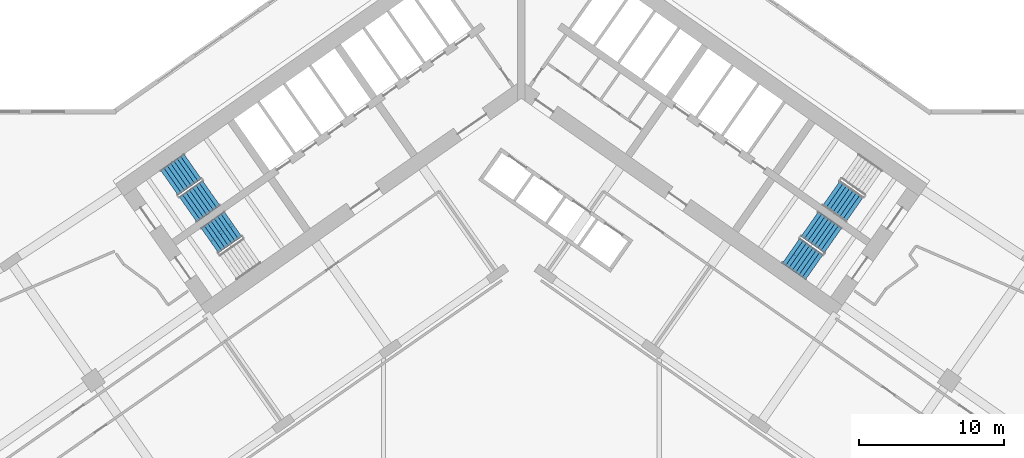
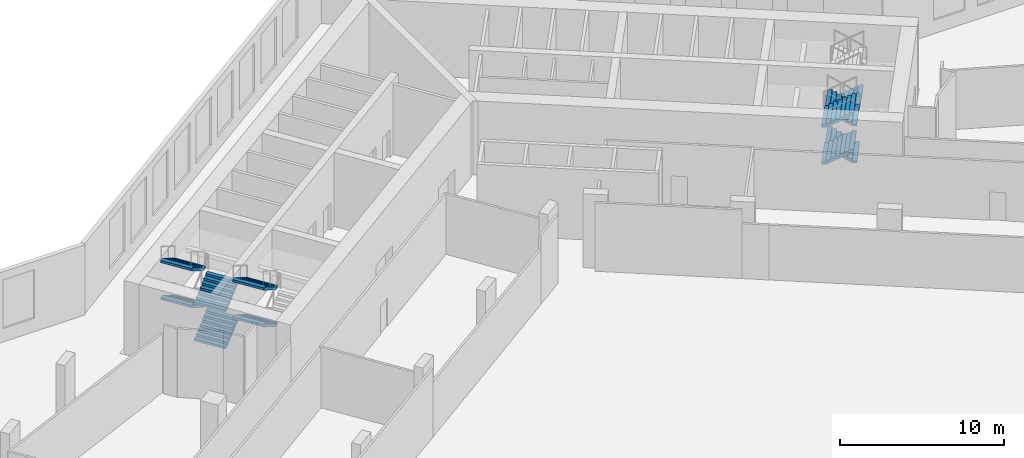
# One storey, part 11 of 15: 11 stair flights, 4 elements without a shape of their own.
"""IFC4 building model written with IfcOpenShell, lengths in metres."""

from ifc_helpers import new_model, si_unit, direction, frame, origin, place, context, subcontext, project, spatial, polyline, outline, extrude, material, type_object, element, aggregate, save


model = new_model("IFC4")

# Units and contexts
model_context = context("Model", 3, precision=1e-05, world=origin(), true_north=direction((0.0, 1.0)))
body_context = subcontext(model_context, "Body", "Model", "MODEL_VIEW")
ifc_project = project(units=[si_unit("LENGTHUNIT", "METRE"), si_unit("AREAUNIT", "SQUARE_METRE"), si_unit("VOLUMEUNIT", "CUBIC_METRE"), si_unit("PLANEANGLEUNIT", "RADIAN"), si_unit("MASSUNIT", "GRAM", prefix="KILO")], contexts=[model_context])

# Site, building, storey
site_placement = place(None, origin())
site = spatial("IfcSite", under=ifc_project, at=site_placement, CompositionType="ELEMENT")
building_placement = place(site_placement, origin())
building = spatial("IfcBuilding", under=site, at=building_placement, Name="Tel Ilan Convention Tower", CompositionType="ELEMENT")
storey_placement = place(building_placement, frame((0.0, 0.0, 43.0)))
storey = spatial("IfcBuildingStorey", under=building, at=storey_placement, Name="L06", CompositionType="ELEMENT", Elevation=43.0)

# Stair, stair flights
ifc_material_1 = material(Name="Concrete C40/50", Category="concrete")
stair_type = type_object("IfcStairType", Name="Pressurised Exit Stair 32 risers 172 mm", PredefinedType="HALF_TURN_STAIR", material=ifc_material_1)
stair_1_placement = place(storey_placement, origin())
stair_1 = element("IfcStair", 1, at=stair_1_placement, inside=storey, type_object=stair_type, Name="L06 Pressurised Stair S1", PredefinedType="HALF_TURN_STAIR")
ifc_material_2 = material(Name="Precast Concrete C40/50", Category="concrete")
stair_flight_type = type_object("IfcStairFlightType", Name="Concrete Stair Flight 2100 mm 32 risers 172 mm", PredefinedType="STRAIGHT", material=ifc_material_2)
stair_flight_1_placement = place(storey_placement, frame((-22.9619140625, -8.87548828125, 0.0), z_axis=(0.0, 0.0, 1.0), x_axis=(0.819152044289, 0.573576436351, 0.0)))
stair_flight_1 = element("IfcStairFlight", 2, at=stair_flight_1_placement, type_object=stair_flight_type, Name="S1 flight 1", NumberOfRisers=8, NumberOfTreads=7, PredefinedType="STRAIGHT", RiserHeight=0.171875, TreadLength=0.28, context=body_context, shape_type="SweptSolid", body=[
    extrude(outline(polyline([(0.0, 0.0), (0.0, 0.171875), (0.280029296875, 0.171875), (0.280029296875, 0.34375), (0.56005859375, 0.34375), (0.56005859375, 0.515625), (0.840087890625, 0.515625), (0.840087890625, 0.6875), (1.1201171875, 0.6875), (1.1201171875, 0.859375), (1.39990234375, 0.859375), (1.39990234375, 1.03125), (1.679931640625, 1.03125), (1.679931640625, 1.203125), (1.9599609375, 1.203125), (1.9599609375, 1.375), (1.9599609375, 1.02734375), (0.28662109375, 0.0), (0.0, 0.0)])), frame((0.0, -0.100341796875, 0.0), z_axis=(0.0, -1.0, 0.0), x_axis=(1.0, 0.0, 0.0)), (0.0, 0.0, 1.0), 0.94970703125),
    extrude(outline(polyline([(0.0, 0.0), (0.0, 0.171875), (0.280029296875, 0.171875), (0.280029296875, 0.34375), (0.56005859375, 0.34375), (0.56005859375, 0.515625), (0.840087890625, 0.515625), (0.840087890625, 0.6875), (1.1201171875, 0.6875), (1.1201171875, 0.859375), (1.39990234375, 0.859375), (1.39990234375, 1.03125), (1.679931640625, 1.03125), (1.679931640625, 1.203125), (1.9599609375, 1.203125), (1.9599609375, 1.375), (1.9599609375, 1.02734375), (0.28662109375, 0.0), (0.0, 0.0)])), frame((0.0, -0.000244140625, 0.0), z_axis=(0.0, -1.0, 0.0), x_axis=(1.0, 0.0, 0.0)), (0.0, 0.0, 1.0), 0.099609375),
    extrude(outline(polyline([(0.0, 0.0), (0.0, 0.171875), (0.280029296875, 0.171875), (0.280029296875, 0.34375), (0.56005859375, 0.34375), (0.56005859375, 0.515625), (0.840087890625, 0.515625), (0.840087890625, 0.6875), (1.1201171875, 0.6875), (1.1201171875, 0.859375), (1.39990234375, 0.859375), (1.39990234375, 1.03125), (1.679931640625, 1.03125), (1.679931640625, 1.203125), (1.9599609375, 1.203125), (1.9599609375, 1.375), (1.9599609375, 1.02734375), (0.28662109375, 0.0), (0.0, 0.0)])), frame((0.0, 0.099853515625, 0.0), z_axis=(0.0, -1.0, 0.0), x_axis=(1.0, 0.0, 0.0)), (0.0, 0.0, 1.0), 0.099609375),
    extrude(outline(polyline([(0.0, 0.0), (0.0, 0.171875), (0.280029296875, 0.171875), (0.280029296875, 0.34375), (0.56005859375, 0.34375), (0.56005859375, 0.515625), (0.840087890625, 0.515625), (0.840087890625, 0.6875), (1.1201171875, 0.6875), (1.1201171875, 0.859375), (1.39990234375, 0.859375), (1.39990234375, 1.03125), (1.679931640625, 1.03125), (1.679931640625, 1.203125), (1.9599609375, 1.203125), (1.9599609375, 1.375), (1.9599609375, 1.02734375), (0.28662109375, 0.0), (0.0, 0.0)])), frame((0.0, 1.050048828125, 0.0), z_axis=(0.0, -1.0, 0.0), x_axis=(1.0, 0.0, 0.0)), (0.0, 0.0, 1.0), 0.94970703125),
])
stair_flight_2_placement = place(storey_placement, frame((-22.646728515625, -5.908203125, 1.375), z_axis=(0.0, 0.0, 1.0), x_axis=(-0.819152044289, -0.573576436351, 0.0)))
stair_flight_2 = element("IfcStairFlight", 3, at=stair_flight_2_placement, type_object=stair_flight_type, Name="S1 flight 2", NumberOfRisers=8, NumberOfTreads=7, PredefinedType="STRAIGHT", RiserHeight=0.171875, TreadLength=0.28, context=body_context, shape_type="SweptSolid", body=[
    extrude(outline(polyline([(0.0, 0.0), (0.0, 0.171875), (0.280029296875, 0.171875), (0.280029296875, 0.34375), (0.56005859375, 0.34375), (0.56005859375, 0.515625), (0.840087890625, 0.515625), (0.840087890625, 0.6875), (1.1201171875, 0.6875), (1.1201171875, 0.859375), (1.39990234375, 0.859375), (1.39990234375, 1.03125), (1.679931640625, 1.03125), (1.679931640625, 1.203125), (1.9599609375, 1.203125), (1.9599609375, 1.375), (1.9599609375, 1.02734375), (0.28662109375, 0.0), (0.0, 0.0)])), frame((0.0, -0.100341796875, 0.0), z_axis=(0.0, -1.0, 0.0), x_axis=(1.0, 0.0, 0.0)), (0.0, 0.0, 1.0), 0.94970703125),
    extrude(outline(polyline([(0.0, 0.0), (0.0, 0.171875), (0.280029296875, 0.171875), (0.280029296875, 0.34375), (0.56005859375, 0.34375), (0.56005859375, 0.515625), (0.840087890625, 0.515625), (0.840087890625, 0.6875), (1.1201171875, 0.6875), (1.1201171875, 0.859375), (1.39990234375, 0.859375), (1.39990234375, 1.03125), (1.679931640625, 1.03125), (1.679931640625, 1.203125), (1.9599609375, 1.203125), (1.9599609375, 1.375), (1.9599609375, 1.02734375), (0.28662109375, 0.0), (0.0, 0.0)])), frame((0.0, -0.000244140625, 0.0), z_axis=(0.0, -1.0, 0.0), x_axis=(1.0, 0.0, 0.0)), (0.0, 0.0, 1.0), 0.099609375),
    extrude(outline(polyline([(0.0, 0.0), (0.0, 0.171875), (0.280029296875, 0.171875), (0.280029296875, 0.34375), (0.56005859375, 0.34375), (0.56005859375, 0.515625), (0.840087890625, 0.515625), (0.840087890625, 0.6875), (1.1201171875, 0.6875), (1.1201171875, 0.859375), (1.39990234375, 0.859375), (1.39990234375, 1.03125), (1.679931640625, 1.03125), (1.679931640625, 1.203125), (1.9599609375, 1.203125), (1.9599609375, 1.375), (1.9599609375, 1.02734375), (0.28662109375, 0.0), (0.0, 0.0)])), frame((0.0, 0.099853515625, 0.0), z_axis=(0.0, -1.0, 0.0), x_axis=(1.0, 0.0, 0.0)), (0.0, 0.0, 1.0), 0.099609375),
    extrude(outline(polyline([(0.0, 0.0), (0.0, 0.171875), (0.280029296875, 0.171875), (0.280029296875, 0.34375), (0.56005859375, 0.34375), (0.56005859375, 0.515625), (0.840087890625, 0.515625), (0.840087890625, 0.6875), (1.1201171875, 0.6875), (1.1201171875, 0.859375), (1.39990234375, 0.859375), (1.39990234375, 1.03125), (1.679931640625, 1.03125), (1.679931640625, 1.203125), (1.9599609375, 1.203125), (1.9599609375, 1.375), (1.9599609375, 1.02734375), (0.28662109375, 0.0), (0.0, 0.0)])), frame((0.0, 1.050048828125, 0.0), z_axis=(0.0, -1.0, 0.0), x_axis=(1.0, 0.0, 0.0)), (0.0, 0.0, 1.0), 0.94970703125),
])
stair_flight_3_placement = place(storey_placement, frame((-22.9619140625, -8.87548828125, 2.75), z_axis=(0.0, 0.0, 1.0), x_axis=(0.819152044289, 0.573576436351, 0.0)))
stair_flight_3 = element("IfcStairFlight", 4, at=stair_flight_3_placement, type_object=stair_flight_type, Name="S1 flight 3", NumberOfRisers=8, NumberOfTreads=7, PredefinedType="STRAIGHT", RiserHeight=0.171875, TreadLength=0.28, context=body_context, shape_type="SweptSolid", body=[
    extrude(outline(polyline([(0.0, 0.0), (0.0, 0.171875), (0.280029296875, 0.171875), (0.280029296875, 0.34375), (0.56005859375, 0.34375), (0.56005859375, 0.515625), (0.840087890625, 0.515625), (0.840087890625, 0.6875), (1.1201171875, 0.6875), (1.1201171875, 0.859375), (1.39990234375, 0.859375), (1.39990234375, 1.03125), (1.679931640625, 1.03125), (1.679931640625, 1.203125), (1.9599609375, 1.203125), (1.9599609375, 1.375), (1.9599609375, 1.02734375), (0.28662109375, 0.0), (0.0, 0.0)])), frame((0.0, -0.100341796875, 0.0), z_axis=(0.0, -1.0, 0.0), x_axis=(1.0, 0.0, 0.0)), (0.0, 0.0, 1.0), 0.94970703125),
    extrude(outline(polyline([(0.0, 0.0), (0.0, 0.171875), (0.280029296875, 0.171875), (0.280029296875, 0.34375), (0.56005859375, 0.34375), (0.56005859375, 0.515625), (0.840087890625, 0.515625), (0.840087890625, 0.6875), (1.1201171875, 0.6875), (1.1201171875, 0.859375), (1.39990234375, 0.859375), (1.39990234375, 1.03125), (1.679931640625, 1.03125), (1.679931640625, 1.203125), (1.9599609375, 1.203125), (1.9599609375, 1.375), (1.9599609375, 1.02734375), (0.28662109375, 0.0), (0.0, 0.0)])), frame((0.0, -0.000244140625, 0.0), z_axis=(0.0, -1.0, 0.0), x_axis=(1.0, 0.0, 0.0)), (0.0, 0.0, 1.0), 0.099609375),
    extrude(outline(polyline([(0.0, 0.0), (0.0, 0.171875), (0.280029296875, 0.171875), (0.280029296875, 0.34375), (0.56005859375, 0.34375), (0.56005859375, 0.515625), (0.840087890625, 0.515625), (0.840087890625, 0.6875), (1.1201171875, 0.6875), (1.1201171875, 0.859375), (1.39990234375, 0.859375), (1.39990234375, 1.03125), (1.679931640625, 1.03125), (1.679931640625, 1.203125), (1.9599609375, 1.203125), (1.9599609375, 1.375), (1.9599609375, 1.02734375), (0.28662109375, 0.0), (0.0, 0.0)])), frame((0.0, 0.099853515625, 0.0), z_axis=(0.0, -1.0, 0.0), x_axis=(1.0, 0.0, 0.0)), (0.0, 0.0, 1.0), 0.099609375),
    extrude(outline(polyline([(0.0, 0.0), (0.0, 0.171875), (0.280029296875, 0.171875), (0.280029296875, 0.34375), (0.56005859375, 0.34375), (0.56005859375, 0.515625), (0.840087890625, 0.515625), (0.840087890625, 0.6875), (1.1201171875, 0.6875), (1.1201171875, 0.859375), (1.39990234375, 0.859375), (1.39990234375, 1.03125), (1.679931640625, 1.03125), (1.679931640625, 1.203125), (1.9599609375, 1.203125), (1.9599609375, 1.375), (1.9599609375, 1.02734375), (0.28662109375, 0.0), (0.0, 0.0)])), frame((0.0, 1.050048828125, 0.0), z_axis=(0.0, -1.0, 0.0), x_axis=(1.0, 0.0, 0.0)), (0.0, 0.0, 1.0), 0.94970703125),
])
stair_flight_4_placement = place(storey_placement, frame((-22.646728515625, -5.908203125, 4.125), z_axis=(0.0, 0.0, 1.0), x_axis=(-0.819152044289, -0.573576436351, 0.0)))
stair_flight_4 = element("IfcStairFlight", 5, at=stair_flight_4_placement, type_object=stair_flight_type, Name="S1 flight 4", NumberOfRisers=8, NumberOfTreads=7, PredefinedType="STRAIGHT", RiserHeight=0.171875, TreadLength=0.28, context=body_context, shape_type="SweptSolid", body=[
    extrude(outline(polyline([(0.0, 0.0), (0.0, 0.171875), (0.280029296875, 0.171875), (0.280029296875, 0.34375), (0.56005859375, 0.34375), (0.56005859375, 0.515625), (0.840087890625, 0.515625), (0.840087890625, 0.6875), (1.1201171875, 0.6875), (1.1201171875, 0.859375), (1.39990234375, 0.859375), (1.39990234375, 1.03125), (1.679931640625, 1.03125), (1.679931640625, 1.203125), (1.9599609375, 1.203125), (1.9599609375, 1.375), (1.9599609375, 1.02734375), (0.28662109375, 0.0), (0.0, 0.0)])), frame((0.0, -0.100341796875, 0.0), z_axis=(0.0, -1.0, 0.0), x_axis=(1.0, 0.0, 0.0)), (0.0, 0.0, 1.0), 0.94970703125),
    extrude(outline(polyline([(0.0, 0.0), (0.0, 0.171875), (0.280029296875, 0.171875), (0.280029296875, 0.34375), (0.56005859375, 0.34375), (0.56005859375, 0.515625), (0.840087890625, 0.515625), (0.840087890625, 0.6875), (1.1201171875, 0.6875), (1.1201171875, 0.859375), (1.39990234375, 0.859375), (1.39990234375, 1.03125), (1.679931640625, 1.03125), (1.679931640625, 1.203125), (1.9599609375, 1.203125), (1.9599609375, 1.375), (1.9599609375, 1.02734375), (0.28662109375, 0.0), (0.0, 0.0)])), frame((0.0, -0.000244140625, 0.0), z_axis=(0.0, -1.0, 0.0), x_axis=(1.0, 0.0, 0.0)), (0.0, 0.0, 1.0), 0.099609375),
    extrude(outline(polyline([(0.0, 0.0), (0.0, 0.171875), (0.280029296875, 0.171875), (0.280029296875, 0.34375), (0.56005859375, 0.34375), (0.56005859375, 0.515625), (0.840087890625, 0.515625), (0.840087890625, 0.6875), (1.1201171875, 0.6875), (1.1201171875, 0.859375), (1.39990234375, 0.859375), (1.39990234375, 1.03125), (1.679931640625, 1.03125), (1.679931640625, 1.203125), (1.9599609375, 1.203125), (1.9599609375, 1.375), (1.9599609375, 1.02734375), (0.28662109375, 0.0), (0.0, 0.0)])), frame((0.0, 0.099853515625, 0.0), z_axis=(0.0, -1.0, 0.0), x_axis=(1.0, 0.0, 0.0)), (0.0, 0.0, 1.0), 0.099609375),
    extrude(outline(polyline([(0.0, 0.0), (0.0, 0.171875), (0.280029296875, 0.171875), (0.280029296875, 0.34375), (0.56005859375, 0.34375), (0.56005859375, 0.515625), (0.840087890625, 0.515625), (0.840087890625, 0.6875), (1.1201171875, 0.6875), (1.1201171875, 0.859375), (1.39990234375, 0.859375), (1.39990234375, 1.03125), (1.679931640625, 1.03125), (1.679931640625, 1.203125), (1.9599609375, 1.203125), (1.9599609375, 1.375), (1.9599609375, 1.02734375), (0.28662109375, 0.0), (0.0, 0.0)])), frame((0.0, 1.050048828125, 0.0), z_axis=(0.0, -1.0, 0.0), x_axis=(1.0, 0.0, 0.0)), (0.0, 0.0, 1.0), 0.94970703125),
])
aggregate(stair_1, [stair_flight_1, stair_flight_2, stair_flight_3, stair_flight_4])

stair_2_placement = place(storey_placement, origin())
stair_2 = element("IfcStair", 6, at=stair_2_placement, inside=storey, type_object=stair_type, Name="L06 Pressurised Stair S2", PredefinedType="HALF_TURN_STAIR")
stair_flight_5_placement = place(storey_placement, frame((-19.864990234375, -9.881103515625, 1.375), z_axis=(0.0, 0.0, 1.0), x_axis=(-0.819152044289, -0.573576436351, 0.0)))
stair_flight_5 = element("IfcStairFlight", 7, at=stair_flight_5_placement, type_object=stair_flight_type, Name="S2 flight 2", NumberOfRisers=8, NumberOfTreads=7, PredefinedType="STRAIGHT", RiserHeight=0.171875, TreadLength=0.28, context=body_context, shape_type="SweptSolid", body=[
    extrude(outline(polyline([(0.0, 0.0), (0.0, 0.171875), (0.280029296875, 0.171875), (0.280029296875, 0.34375), (0.56005859375, 0.34375), (0.56005859375, 0.515625), (0.840087890625, 0.515625), (0.840087890625, 0.6875), (1.1201171875, 0.6875), (1.1201171875, 0.859375), (1.39990234375, 0.859375), (1.39990234375, 1.03125), (1.679931640625, 1.03125), (1.679931640625, 1.203125), (1.9599609375, 1.203125), (1.9599609375, 1.375), (1.9599609375, 1.02734375), (0.28662109375, 0.0), (0.0, 0.0)])), frame((0.0, -0.100341796875, 0.0), z_axis=(0.0, -1.0, 0.0), x_axis=(1.0, 0.0, 0.0)), (0.0, 0.0, 1.0), 0.94970703125),
    extrude(outline(polyline([(0.0, 0.0), (0.0, 0.171875), (0.280029296875, 0.171875), (0.280029296875, 0.34375), (0.56005859375, 0.34375), (0.56005859375, 0.515625), (0.840087890625, 0.515625), (0.840087890625, 0.6875), (1.1201171875, 0.6875), (1.1201171875, 0.859375), (1.39990234375, 0.859375), (1.39990234375, 1.03125), (1.679931640625, 1.03125), (1.679931640625, 1.203125), (1.9599609375, 1.203125), (1.9599609375, 1.375), (1.9599609375, 1.02734375), (0.28662109375, 0.0), (0.0, 0.0)])), frame((0.0, -0.000244140625, 0.0), z_axis=(0.0, -1.0, 0.0), x_axis=(1.0, 0.0, 0.0)), (0.0, 0.0, 1.0), 0.099609375),
    extrude(outline(polyline([(0.0, 0.0), (0.0, 0.171875), (0.280029296875, 0.171875), (0.280029296875, 0.34375), (0.56005859375, 0.34375), (0.56005859375, 0.515625), (0.840087890625, 0.515625), (0.840087890625, 0.6875), (1.1201171875, 0.6875), (1.1201171875, 0.859375), (1.39990234375, 0.859375), (1.39990234375, 1.03125), (1.679931640625, 1.03125), (1.679931640625, 1.203125), (1.9599609375, 1.203125), (1.9599609375, 1.375), (1.9599609375, 1.02734375), (0.28662109375, 0.0), (0.0, 0.0)])), frame((0.0, 0.099853515625, 0.0), z_axis=(0.0, -1.0, 0.0), x_axis=(1.0, 0.0, 0.0)), (0.0, 0.0, 1.0), 0.099609375),
    extrude(outline(polyline([(0.0, 0.0), (0.0, 0.171875), (0.280029296875, 0.171875), (0.280029296875, 0.34375), (0.56005859375, 0.34375), (0.56005859375, 0.515625), (0.840087890625, 0.515625), (0.840087890625, 0.6875), (1.1201171875, 0.6875), (1.1201171875, 0.859375), (1.39990234375, 0.859375), (1.39990234375, 1.03125), (1.679931640625, 1.03125), (1.679931640625, 1.203125), (1.9599609375, 1.203125), (1.9599609375, 1.375), (1.9599609375, 1.02734375), (0.28662109375, 0.0), (0.0, 0.0)])), frame((0.0, 1.050048828125, 0.0), z_axis=(0.0, -1.0, 0.0), x_axis=(1.0, 0.0, 0.0)), (0.0, 0.0, 1.0), 0.94970703125),
])
stair_flight_6_placement = place(storey_placement, frame((-19.864990234375, -9.881103515625, 4.125), z_axis=(0.0, 0.0, 1.0), x_axis=(-0.819152044289, -0.573576436351, 0.0)))
stair_flight_6 = element("IfcStairFlight", 8, at=stair_flight_6_placement, type_object=stair_flight_type, Name="S2 flight 4", NumberOfRisers=8, NumberOfTreads=7, PredefinedType="STRAIGHT", RiserHeight=0.171875, TreadLength=0.28, context=body_context, shape_type="SweptSolid", body=[
    extrude(outline(polyline([(0.0, 0.0), (0.0, 0.171875), (0.280029296875, 0.171875), (0.280029296875, 0.34375), (0.56005859375, 0.34375), (0.56005859375, 0.515625), (0.840087890625, 0.515625), (0.840087890625, 0.6875), (1.1201171875, 0.6875), (1.1201171875, 0.859375), (1.39990234375, 0.859375), (1.39990234375, 1.03125), (1.679931640625, 1.03125), (1.679931640625, 1.203125), (1.9599609375, 1.203125), (1.9599609375, 1.375), (1.9599609375, 1.02734375), (0.28662109375, 0.0), (0.0, 0.0)])), frame((0.0, -0.100341796875, 0.0), z_axis=(0.0, -1.0, 0.0), x_axis=(1.0, 0.0, 0.0)), (0.0, 0.0, 1.0), 0.94970703125),
    extrude(outline(polyline([(0.0, 0.0), (0.0, 0.171875), (0.280029296875, 0.171875), (0.280029296875, 0.34375), (0.56005859375, 0.34375), (0.56005859375, 0.515625), (0.840087890625, 0.515625), (0.840087890625, 0.6875), (1.1201171875, 0.6875), (1.1201171875, 0.859375), (1.39990234375, 0.859375), (1.39990234375, 1.03125), (1.679931640625, 1.03125), (1.679931640625, 1.203125), (1.9599609375, 1.203125), (1.9599609375, 1.375), (1.9599609375, 1.02734375), (0.28662109375, 0.0), (0.0, 0.0)])), frame((0.0, -0.000244140625, 0.0), z_axis=(0.0, -1.0, 0.0), x_axis=(1.0, 0.0, 0.0)), (0.0, 0.0, 1.0), 0.099609375),
    extrude(outline(polyline([(0.0, 0.0), (0.0, 0.171875), (0.280029296875, 0.171875), (0.280029296875, 0.34375), (0.56005859375, 0.34375), (0.56005859375, 0.515625), (0.840087890625, 0.515625), (0.840087890625, 0.6875), (1.1201171875, 0.6875), (1.1201171875, 0.859375), (1.39990234375, 0.859375), (1.39990234375, 1.03125), (1.679931640625, 1.03125), (1.679931640625, 1.203125), (1.9599609375, 1.203125), (1.9599609375, 1.375), (1.9599609375, 1.02734375), (0.28662109375, 0.0), (0.0, 0.0)])), frame((0.0, 0.099853515625, 0.0), z_axis=(0.0, -1.0, 0.0), x_axis=(1.0, 0.0, 0.0)), (0.0, 0.0, 1.0), 0.099609375),
    extrude(outline(polyline([(0.0, 0.0), (0.0, 0.171875), (0.280029296875, 0.171875), (0.280029296875, 0.34375), (0.56005859375, 0.34375), (0.56005859375, 0.515625), (0.840087890625, 0.515625), (0.840087890625, 0.6875), (1.1201171875, 0.6875), (1.1201171875, 0.859375), (1.39990234375, 0.859375), (1.39990234375, 1.03125), (1.679931640625, 1.03125), (1.679931640625, 1.203125), (1.9599609375, 1.203125), (1.9599609375, 1.375), (1.9599609375, 1.02734375), (0.28662109375, 0.0), (0.0, 0.0)])), frame((0.0, 1.050048828125, 0.0), z_axis=(0.0, -1.0, 0.0), x_axis=(1.0, 0.0, 0.0)), (0.0, 0.0, 1.0), 0.94970703125),
])
aggregate(stair_2, [stair_flight_5, stair_flight_6])

# Stair, stair flight
stair_3_placement = place(storey_placement, origin())
stair_3 = element("IfcStair", 9, at=stair_3_placement, inside=storey, type_object=stair_type, Name="L06 Pressurised Stair S3", PredefinedType="HALF_TURN_STAIR")
stair_flight_7_placement = place(storey_placement, frame((21.356201171875, -7.751220703125, 1.375), z_axis=(0.0, 0.0, 1.0), x_axis=(0.819152044289, -0.573576436351, 0.0)))
stair_flight_7 = element("IfcStairFlight", 10, at=stair_flight_7_placement, type_object=stair_flight_type, Name="S3 flight 2", NumberOfRisers=8, NumberOfTreads=7, PredefinedType="STRAIGHT", RiserHeight=0.171875, TreadLength=0.28, context=body_context, shape_type="SweptSolid", body=[
    extrude(outline(polyline([(0.0, 0.0), (0.0, 0.171875), (0.280029296875, 0.171875), (0.280029296875, 0.34375), (0.56005859375, 0.34375), (0.56005859375, 0.515625), (0.840087890625, 0.515625), (0.840087890625, 0.6875), (1.1201171875, 0.6875), (1.1201171875, 0.859375), (1.39990234375, 0.859375), (1.39990234375, 1.03125), (1.679931640625, 1.03125), (1.679931640625, 1.203125), (1.9599609375, 1.203125), (1.9599609375, 1.375), (1.9599609375, 1.02734375), (0.28662109375, 0.0), (0.0, 0.0)])), frame((0.0, -0.100341796875, 0.0), z_axis=(0.0, -1.0, 0.0), x_axis=(1.0, 0.0, 0.0)), (0.0, 0.0, 1.0), 0.94970703125),
    extrude(outline(polyline([(0.0, 0.0), (0.0, 0.171875), (0.280029296875, 0.171875), (0.280029296875, 0.34375), (0.56005859375, 0.34375), (0.56005859375, 0.515625), (0.840087890625, 0.515625), (0.840087890625, 0.6875), (1.1201171875, 0.6875), (1.1201171875, 0.859375), (1.39990234375, 0.859375), (1.39990234375, 1.03125), (1.679931640625, 1.03125), (1.679931640625, 1.203125), (1.9599609375, 1.203125), (1.9599609375, 1.375), (1.9599609375, 1.02734375), (0.28662109375, 0.0), (0.0, 0.0)])), frame((0.0, -0.000244140625, 0.0), z_axis=(0.0, -1.0, 0.0), x_axis=(1.0, 0.0, 0.0)), (0.0, 0.0, 1.0), 0.099609375),
    extrude(outline(polyline([(0.0, 0.0), (0.0, 0.171875), (0.280029296875, 0.171875), (0.280029296875, 0.34375), (0.56005859375, 0.34375), (0.56005859375, 0.515625), (0.840087890625, 0.515625), (0.840087890625, 0.6875), (1.1201171875, 0.6875), (1.1201171875, 0.859375), (1.39990234375, 0.859375), (1.39990234375, 1.03125), (1.679931640625, 1.03125), (1.679931640625, 1.203125), (1.9599609375, 1.203125), (1.9599609375, 1.375), (1.9599609375, 1.02734375), (0.28662109375, 0.0), (0.0, 0.0)])), frame((0.0, 0.099853515625, 0.0), z_axis=(0.0, -1.0, 0.0), x_axis=(1.0, 0.0, 0.0)), (0.0, 0.0, 1.0), 0.099609375),
    extrude(outline(polyline([(0.0, 0.0), (0.0, 0.171875), (0.280029296875, 0.171875), (0.280029296875, 0.34375), (0.56005859375, 0.34375), (0.56005859375, 0.515625), (0.840087890625, 0.515625), (0.840087890625, 0.6875), (1.1201171875, 0.6875), (1.1201171875, 0.859375), (1.39990234375, 0.859375), (1.39990234375, 1.03125), (1.679931640625, 1.03125), (1.679931640625, 1.203125), (1.9599609375, 1.203125), (1.9599609375, 1.375), (1.9599609375, 1.02734375), (0.28662109375, 0.0), (0.0, 0.0)])), frame((0.0, 1.050048828125, 0.0), z_axis=(0.0, -1.0, 0.0), x_axis=(1.0, 0.0, 0.0)), (0.0, 0.0, 1.0), 0.94970703125),
])
aggregate(stair_3, [stair_flight_7])

# Stair, stair flights
stair_4_placement = place(storey_placement, origin())
stair_4 = element("IfcStair", 11, at=stair_4_placement, inside=storey, type_object=stair_type, Name="L06 Pressurised Stair S4", PredefinedType="HALF_TURN_STAIR")
stair_flight_8_placement = place(storey_placement, frame((21.470458984375, -11.00537109375, 0.0), z_axis=(0.0, 0.0, 1.0), x_axis=(-0.819152044289, 0.573576436351, 0.0)))
stair_flight_8 = element("IfcStairFlight", 12, at=stair_flight_8_placement, type_object=stair_flight_type, Name="S4 flight 1", NumberOfRisers=8, NumberOfTreads=7, PredefinedType="STRAIGHT", RiserHeight=0.171875, TreadLength=0.28, context=body_context, shape_type="SweptSolid", body=[
    extrude(outline(polyline([(0.0, 0.0), (0.0, 0.171875), (0.280029296875, 0.171875), (0.280029296875, 0.34375), (0.56005859375, 0.34375), (0.56005859375, 0.515625), (0.840087890625, 0.515625), (0.840087890625, 0.6875), (1.1201171875, 0.6875), (1.1201171875, 0.859375), (1.39990234375, 0.859375), (1.39990234375, 1.03125), (1.679931640625, 1.03125), (1.679931640625, 1.203125), (1.9599609375, 1.203125), (1.9599609375, 1.375), (1.9599609375, 1.02734375), (0.28662109375, 0.0), (0.0, 0.0)])), frame((0.0, -0.100341796875, 0.0), z_axis=(0.0, -1.0, 0.0), x_axis=(1.0, 0.0, 0.0)), (0.0, 0.0, 1.0), 0.94970703125),
    extrude(outline(polyline([(0.0, 0.0), (0.0, 0.171875), (0.280029296875, 0.171875), (0.280029296875, 0.34375), (0.56005859375, 0.34375), (0.56005859375, 0.515625), (0.840087890625, 0.515625), (0.840087890625, 0.6875), (1.1201171875, 0.6875), (1.1201171875, 0.859375), (1.39990234375, 0.859375), (1.39990234375, 1.03125), (1.679931640625, 1.03125), (1.679931640625, 1.203125), (1.9599609375, 1.203125), (1.9599609375, 1.375), (1.9599609375, 1.02734375), (0.28662109375, 0.0), (0.0, 0.0)])), frame((0.0, -0.000244140625, 0.0), z_axis=(0.0, -1.0, 0.0), x_axis=(1.0, 0.0, 0.0)), (0.0, 0.0, 1.0), 0.099609375),
    extrude(outline(polyline([(0.0, 0.0), (0.0, 0.171875), (0.280029296875, 0.171875), (0.280029296875, 0.34375), (0.56005859375, 0.34375), (0.56005859375, 0.515625), (0.840087890625, 0.515625), (0.840087890625, 0.6875), (1.1201171875, 0.6875), (1.1201171875, 0.859375), (1.39990234375, 0.859375), (1.39990234375, 1.03125), (1.679931640625, 1.03125), (1.679931640625, 1.203125), (1.9599609375, 1.203125), (1.9599609375, 1.375), (1.9599609375, 1.02734375), (0.28662109375, 0.0), (0.0, 0.0)])), frame((0.0, 0.099853515625, 0.0), z_axis=(0.0, -1.0, 0.0), x_axis=(1.0, 0.0, 0.0)), (0.0, 0.0, 1.0), 0.099609375),
    extrude(outline(polyline([(0.0, 0.0), (0.0, 0.171875), (0.280029296875, 0.171875), (0.280029296875, 0.34375), (0.56005859375, 0.34375), (0.56005859375, 0.515625), (0.840087890625, 0.515625), (0.840087890625, 0.6875), (1.1201171875, 0.6875), (1.1201171875, 0.859375), (1.39990234375, 0.859375), (1.39990234375, 1.03125), (1.679931640625, 1.03125), (1.679931640625, 1.203125), (1.9599609375, 1.203125), (1.9599609375, 1.375), (1.9599609375, 1.02734375), (0.28662109375, 0.0), (0.0, 0.0)])), frame((0.0, 1.050048828125, 0.0), z_axis=(0.0, -1.0, 0.0), x_axis=(1.0, 0.0, 0.0)), (0.0, 0.0, 1.0), 0.94970703125),
])
stair_flight_9_placement = place(storey_placement, frame((18.574462890625, -11.72412109375, 1.375), z_axis=(0.0, 0.0, 1.0), x_axis=(0.819152044289, -0.573576436351, 0.0)))
stair_flight_9 = element("IfcStairFlight", 13, at=stair_flight_9_placement, type_object=stair_flight_type, Name="S4 flight 2", NumberOfRisers=8, NumberOfTreads=7, PredefinedType="STRAIGHT", RiserHeight=0.171875, TreadLength=0.28, context=body_context, shape_type="SweptSolid", body=[
    extrude(outline(polyline([(0.0, 0.0), (0.0, 0.171875), (0.280029296875, 0.171875), (0.280029296875, 0.34375), (0.56005859375, 0.34375), (0.56005859375, 0.515625), (0.840087890625, 0.515625), (0.840087890625, 0.6875), (1.1201171875, 0.6875), (1.1201171875, 0.859375), (1.39990234375, 0.859375), (1.39990234375, 1.03125), (1.679931640625, 1.03125), (1.679931640625, 1.203125), (1.9599609375, 1.203125), (1.9599609375, 1.375), (1.9599609375, 1.02734375), (0.28662109375, 0.0), (0.0, 0.0)])), frame((0.0, -0.100341796875, 0.0), z_axis=(0.0, -1.0, 0.0), x_axis=(1.0, 0.0, 0.0)), (0.0, 0.0, 1.0), 0.94970703125),
    extrude(outline(polyline([(0.0, 0.0), (0.0, 0.171875), (0.280029296875, 0.171875), (0.280029296875, 0.34375), (0.56005859375, 0.34375), (0.56005859375, 0.515625), (0.840087890625, 0.515625), (0.840087890625, 0.6875), (1.1201171875, 0.6875), (1.1201171875, 0.859375), (1.39990234375, 0.859375), (1.39990234375, 1.03125), (1.679931640625, 1.03125), (1.679931640625, 1.203125), (1.9599609375, 1.203125), (1.9599609375, 1.375), (1.9599609375, 1.02734375), (0.28662109375, 0.0), (0.0, 0.0)])), frame((0.0, -0.000244140625, 0.0), z_axis=(0.0, -1.0, 0.0), x_axis=(1.0, 0.0, 0.0)), (0.0, 0.0, 1.0), 0.099609375),
    extrude(outline(polyline([(0.0, 0.0), (0.0, 0.171875), (0.280029296875, 0.171875), (0.280029296875, 0.34375), (0.56005859375, 0.34375), (0.56005859375, 0.515625), (0.840087890625, 0.515625), (0.840087890625, 0.6875), (1.1201171875, 0.6875), (1.1201171875, 0.859375), (1.39990234375, 0.859375), (1.39990234375, 1.03125), (1.679931640625, 1.03125), (1.679931640625, 1.203125), (1.9599609375, 1.203125), (1.9599609375, 1.375), (1.9599609375, 1.02734375), (0.28662109375, 0.0), (0.0, 0.0)])), frame((0.0, 0.099853515625, 0.0), z_axis=(0.0, -1.0, 0.0), x_axis=(1.0, 0.0, 0.0)), (0.0, 0.0, 1.0), 0.099609375),
    extrude(outline(polyline([(0.0, 0.0), (0.0, 0.171875), (0.280029296875, 0.171875), (0.280029296875, 0.34375), (0.56005859375, 0.34375), (0.56005859375, 0.515625), (0.840087890625, 0.515625), (0.840087890625, 0.6875), (1.1201171875, 0.6875), (1.1201171875, 0.859375), (1.39990234375, 0.859375), (1.39990234375, 1.03125), (1.679931640625, 1.03125), (1.679931640625, 1.203125), (1.9599609375, 1.203125), (1.9599609375, 1.375), (1.9599609375, 1.02734375), (0.28662109375, 0.0), (0.0, 0.0)])), frame((0.0, 1.050048828125, 0.0), z_axis=(0.0, -1.0, 0.0), x_axis=(1.0, 0.0, 0.0)), (0.0, 0.0, 1.0), 0.94970703125),
])
stair_flight_10_placement = place(storey_placement, frame((21.470458984375, -11.00537109375, 2.75), z_axis=(0.0, 0.0, 1.0), x_axis=(-0.819152044289, 0.573576436351, 0.0)))
stair_flight_10 = element("IfcStairFlight", 14, at=stair_flight_10_placement, type_object=stair_flight_type, Name="S4 flight 3", NumberOfRisers=8, NumberOfTreads=7, PredefinedType="STRAIGHT", RiserHeight=0.171875, TreadLength=0.28, context=body_context, shape_type="SweptSolid", body=[
    extrude(outline(polyline([(0.0, 0.0), (0.0, 0.171875), (0.280029296875, 0.171875), (0.280029296875, 0.34375), (0.56005859375, 0.34375), (0.56005859375, 0.515625), (0.840087890625, 0.515625), (0.840087890625, 0.6875), (1.1201171875, 0.6875), (1.1201171875, 0.859375), (1.39990234375, 0.859375), (1.39990234375, 1.03125), (1.679931640625, 1.03125), (1.679931640625, 1.203125), (1.9599609375, 1.203125), (1.9599609375, 1.375), (1.9599609375, 1.02734375), (0.28662109375, 0.0), (0.0, 0.0)])), frame((0.0, -0.100341796875, 0.0), z_axis=(0.0, -1.0, 0.0), x_axis=(1.0, 0.0, 0.0)), (0.0, 0.0, 1.0), 0.94970703125),
    extrude(outline(polyline([(0.0, 0.0), (0.0, 0.171875), (0.280029296875, 0.171875), (0.280029296875, 0.34375), (0.56005859375, 0.34375), (0.56005859375, 0.515625), (0.840087890625, 0.515625), (0.840087890625, 0.6875), (1.1201171875, 0.6875), (1.1201171875, 0.859375), (1.39990234375, 0.859375), (1.39990234375, 1.03125), (1.679931640625, 1.03125), (1.679931640625, 1.203125), (1.9599609375, 1.203125), (1.9599609375, 1.375), (1.9599609375, 1.02734375), (0.28662109375, 0.0), (0.0, 0.0)])), frame((0.0, -0.000244140625, 0.0), z_axis=(0.0, -1.0, 0.0), x_axis=(1.0, 0.0, 0.0)), (0.0, 0.0, 1.0), 0.099609375),
    extrude(outline(polyline([(0.0, 0.0), (0.0, 0.171875), (0.280029296875, 0.171875), (0.280029296875, 0.34375), (0.56005859375, 0.34375), (0.56005859375, 0.515625), (0.840087890625, 0.515625), (0.840087890625, 0.6875), (1.1201171875, 0.6875), (1.1201171875, 0.859375), (1.39990234375, 0.859375), (1.39990234375, 1.03125), (1.679931640625, 1.03125), (1.679931640625, 1.203125), (1.9599609375, 1.203125), (1.9599609375, 1.375), (1.9599609375, 1.02734375), (0.28662109375, 0.0), (0.0, 0.0)])), frame((0.0, 0.099853515625, 0.0), z_axis=(0.0, -1.0, 0.0), x_axis=(1.0, 0.0, 0.0)), (0.0, 0.0, 1.0), 0.099609375),
    extrude(outline(polyline([(0.0, 0.0), (0.0, 0.171875), (0.280029296875, 0.171875), (0.280029296875, 0.34375), (0.56005859375, 0.34375), (0.56005859375, 0.515625), (0.840087890625, 0.515625), (0.840087890625, 0.6875), (1.1201171875, 0.6875), (1.1201171875, 0.859375), (1.39990234375, 0.859375), (1.39990234375, 1.03125), (1.679931640625, 1.03125), (1.679931640625, 1.203125), (1.9599609375, 1.203125), (1.9599609375, 1.375), (1.9599609375, 1.02734375), (0.28662109375, 0.0), (0.0, 0.0)])), frame((0.0, 1.050048828125, 0.0), z_axis=(0.0, -1.0, 0.0), x_axis=(1.0, 0.0, 0.0)), (0.0, 0.0, 1.0), 0.94970703125),
])
stair_flight_11_placement = place(storey_placement, frame((18.574462890625, -11.72412109375, 4.125), z_axis=(0.0, 0.0, 1.0), x_axis=(0.819152044289, -0.573576436351, 0.0)))
stair_flight_11 = element("IfcStairFlight", 15, at=stair_flight_11_placement, type_object=stair_flight_type, Name="S4 flight 4", NumberOfRisers=8, NumberOfTreads=7, PredefinedType="STRAIGHT", RiserHeight=0.171875, TreadLength=0.28, context=body_context, shape_type="SweptSolid", body=[
    extrude(outline(polyline([(0.0, 0.0), (0.0, 0.171875), (0.280029296875, 0.171875), (0.280029296875, 0.34375), (0.56005859375, 0.34375), (0.56005859375, 0.515625), (0.840087890625, 0.515625), (0.840087890625, 0.6875), (1.1201171875, 0.6875), (1.1201171875, 0.859375), (1.39990234375, 0.859375), (1.39990234375, 1.03125), (1.679931640625, 1.03125), (1.679931640625, 1.203125), (1.9599609375, 1.203125), (1.9599609375, 1.375), (1.9599609375, 1.02734375), (0.28662109375, 0.0), (0.0, 0.0)])), frame((0.0, -0.100341796875, 0.0), z_axis=(0.0, -1.0, 0.0), x_axis=(1.0, 0.0, 0.0)), (0.0, 0.0, 1.0), 0.94970703125),
    extrude(outline(polyline([(0.0, 0.0), (0.0, 0.171875), (0.280029296875, 0.171875), (0.280029296875, 0.34375), (0.56005859375, 0.34375), (0.56005859375, 0.515625), (0.840087890625, 0.515625), (0.840087890625, 0.6875), (1.1201171875, 0.6875), (1.1201171875, 0.859375), (1.39990234375, 0.859375), (1.39990234375, 1.03125), (1.679931640625, 1.03125), (1.679931640625, 1.203125), (1.9599609375, 1.203125), (1.9599609375, 1.375), (1.9599609375, 1.02734375), (0.28662109375, 0.0), (0.0, 0.0)])), frame((0.0, -0.000244140625, 0.0), z_axis=(0.0, -1.0, 0.0), x_axis=(1.0, 0.0, 0.0)), (0.0, 0.0, 1.0), 0.099609375),
    extrude(outline(polyline([(0.0, 0.0), (0.0, 0.171875), (0.280029296875, 0.171875), (0.280029296875, 0.34375), (0.56005859375, 0.34375), (0.56005859375, 0.515625), (0.840087890625, 0.515625), (0.840087890625, 0.6875), (1.1201171875, 0.6875), (1.1201171875, 0.859375), (1.39990234375, 0.859375), (1.39990234375, 1.03125), (1.679931640625, 1.03125), (1.679931640625, 1.203125), (1.9599609375, 1.203125), (1.9599609375, 1.375), (1.9599609375, 1.02734375), (0.28662109375, 0.0), (0.0, 0.0)])), frame((0.0, 0.099853515625, 0.0), z_axis=(0.0, -1.0, 0.0), x_axis=(1.0, 0.0, 0.0)), (0.0, 0.0, 1.0), 0.099609375),
    extrude(outline(polyline([(0.0, 0.0), (0.0, 0.171875), (0.280029296875, 0.171875), (0.280029296875, 0.34375), (0.56005859375, 0.34375), (0.56005859375, 0.515625), (0.840087890625, 0.515625), (0.840087890625, 0.6875), (1.1201171875, 0.6875), (1.1201171875, 0.859375), (1.39990234375, 0.859375), (1.39990234375, 1.03125), (1.679931640625, 1.03125), (1.679931640625, 1.203125), (1.9599609375, 1.203125), (1.9599609375, 1.375), (1.9599609375, 1.02734375), (0.28662109375, 0.0), (0.0, 0.0)])), frame((0.0, 1.050048828125, 0.0), z_axis=(0.0, -1.0, 0.0), x_axis=(1.0, 0.0, 0.0)), (0.0, 0.0, 1.0), 0.94970703125),
])
aggregate(stair_4, [stair_flight_8, stair_flight_9, stair_flight_10, stair_flight_11])

save(model, "model.ifc")
